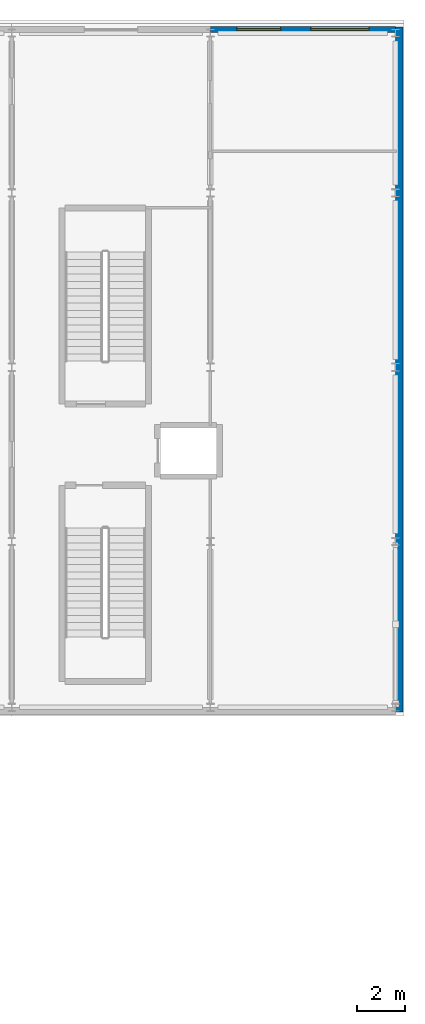
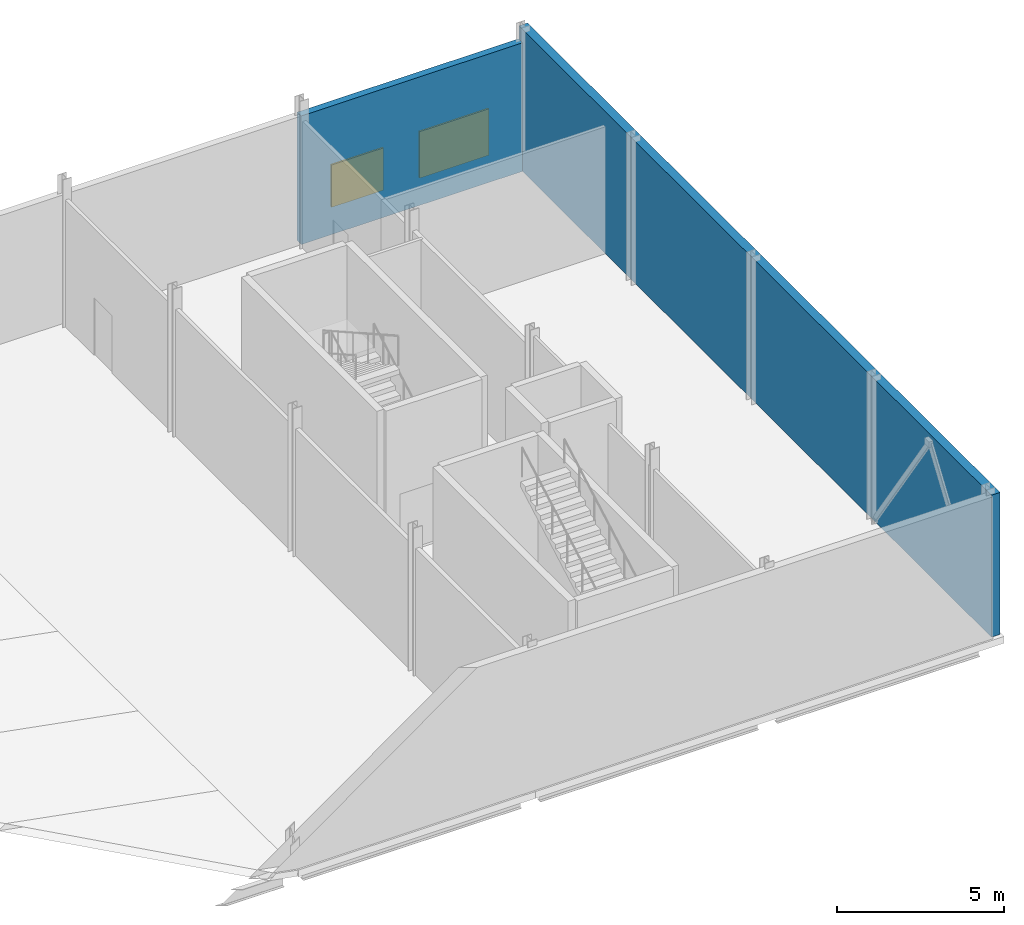
# One storey, part 72 of 83: 2 walls, 2 windows, 2 openings.
"""IFC4 building model written with IfcOpenShell, lengths in metres."""

from ifc_helpers import new_model, si_unit, direction, frame, frame_2d, origin, place, context, subcontext, project, spatial, rectangle, extrude, material, layer, layer_set, type_object, element, fill, save


model = new_model("IFC4")

# Units and contexts
model_context = context("Model", 3, precision=1e-05, world=origin(), true_north=direction((0.0, 1.0)))
body_context = subcontext(model_context, "Body", "Model", "MODEL_VIEW")
ifc_project = project(units=[si_unit("LENGTHUNIT", "METRE"), si_unit("AREAUNIT", "SQUARE_METRE"), si_unit("VOLUMEUNIT", "CUBIC_METRE"), si_unit("PLANEANGLEUNIT", "RADIAN"), si_unit("MASSUNIT", "GRAM", prefix="KILO")], contexts=[model_context])

# Site, building, storey
site_placement = place(None, origin())
site = spatial("IfcSite", under=ifc_project, at=site_placement, CompositionType="ELEMENT")
building_placement = place(site_placement, origin())
building = spatial("IfcBuilding", under=site, at=building_placement, Name="Quillay Park Conservatory", CompositionType="ELEMENT")
storey_placement = place(building_placement, origin())
storey = spatial("IfcBuildingStorey", under=building, at=storey_placement, Name="L00", CompositionType="ELEMENT", Elevation=0.0)

# Wall, openings, windows
ifc_material_1 = material(Name="Glass-Fibre Reinforced Concrete (GRC) Cladding", Category="concrete")
ifc_layer_1 = layer(ifc_material_1, 0.239990234375)
ifc_layer_set_1 = layer_set([ifc_layer_1], Name="EXTERIOR SOLID WALL 240 (Glass-Fibre Reinforced Concrete (GRC) Cladding)")
wall_type_1 = type_object("IfcWallType", Name="EXTERIOR SOLID WALL 240", PredefinedType="SOLIDWALL", material=ifc_layer_set_1)
wall_1_placement = place(storey_placement, frame((156.199951171875, 113.550048828125, 0.0), z_axis=(0.0, 0.0, 1.0), x_axis=(1.0, 0.0, 0.0)))
wall_1 = element("IfcWall", 1, at=wall_1_placement, inside=storey, type_object=wall_type_1, Name="L00 External Wall WL-EXT-V2NB-L00-4", PredefinedType="SOLIDWALL", context=body_context, shape_type="SweptSolid", body=[
    extrude(rectangle(XDim=7.650146484375, YDim=0.239990234375, at=frame_2d((3.8251953125, 0.0))), origin(), (0.0, 0.0, 1.0), 4.699951171875),
])
opening_1_placement = place(wall_1_placement, frame((1.10009765625, 0.0, 0.919921875)))
opening_1 = element("IfcOpeningElement", 2, at=opening_1_placement, cuts=wall_1, Name="Opening W-09", PredefinedType="OPENING", context=body_context, shape_type="SweptSolid", body=[
    extrude(rectangle(XDim=1.800048828125, YDim=1.550048828125, at=frame_2d((0.89990234375, 0.77490234375))), frame((0.0, 0.1201171875, 0.0), z_axis=(0.0, -1.0, 0.0), x_axis=(1.0, 0.0, 0.0)), (0.0, 0.0, 1.0), 0.239990234375),
])
opening_2_placement = place(wall_1_placement, frame((4.14990234375, 0.0, 0.919921875)))
opening_2 = element("IfcOpeningElement", 3, at=opening_2_placement, cuts=wall_1, Name="Opening W-16", PredefinedType="OPENING", context=body_context, shape_type="SweptSolid", body=[
    extrude(rectangle(XDim=2.39990234375, YDim=1.699951171875, at=frame_2d((1.199951171875, 0.85009765625))), frame((0.0, 0.1201171875, 0.0), z_axis=(0.0, -1.0, 0.0), x_axis=(1.0, 0.0, 0.0)), (0.0, 0.0, 1.0), 0.239990234375),
])
ifc_material_2 = material(Name="Low-E Double Glazing (Laminated Tempered)", Category="glass")
window_type_1 = type_object("IfcWindowType", Name="FIXED CASEMENT WINDOW 1800 X1550", PartitioningType="DOUBLE_PANEL_VERTICAL", PredefinedType="WINDOW", material=ifc_material_2)
window_1_placement = place(opening_1_placement, origin())
window_1 = element("IfcWindow", 4, at=window_1_placement, inside=storey, type_object=window_type_1, Name="L00 Exterior Window 0383", OverallHeight=1.550048828125, OverallWidth=1.800048828125, PartitioningType="DOUBLE_PANEL_VERTICAL", PredefinedType="WINDOW", context=body_context, shape_type="SweptSolid", body=[
    extrude(rectangle(XDim=1.800048828125, YDim=1.550048828125, at=frame_2d((0.89990234375, 0.77490234375))), frame((0.0, 0.030029296875, 0.0), z_axis=(0.0, -1.0, 0.0), x_axis=(1.0, 0.0, 0.0)), (0.0, 0.0, 1.0), 0.06005859375),
])
fill(opening_1, window_1)
ifc_material_3 = material(Name="Low-E Double Glazing (Laminated Tempered)", Category="glass")
window_type_2 = type_object("IfcWindowType", Name="FIXED CASEMENT WINDOW 2400 X1700", PartitioningType="DOUBLE_PANEL_VERTICAL", PredefinedType="WINDOW", material=ifc_material_3)
window_2_placement = place(opening_2_placement, origin())
window_2 = element("IfcWindow", 5, at=window_2_placement, inside=storey, type_object=window_type_2, Name="L00 Exterior Window 0384", OverallHeight=1.699951171875, OverallWidth=2.39990234375, PartitioningType="DOUBLE_PANEL_VERTICAL", PredefinedType="WINDOW", context=body_context, shape_type="SweptSolid", body=[
    extrude(rectangle(XDim=2.39990234375, YDim=1.699951171875, at=frame_2d((1.199951171875, 0.85009765625))), frame((0.0, 0.030029296875, 0.0), z_axis=(0.0, -1.0, 0.0), x_axis=(1.0, 0.0, 0.0)), (0.0, 0.0, 1.0), 0.06005859375),
])
fill(opening_2, window_2)

# Wall
ifc_material_4 = material(Name="Concrete C35/45 (NCh170 Concrete C35/45)", Category="concrete")
ifc_layer_2 = layer(ifc_material_4, 0.300048828125)
ifc_layer_set_2 = layer_set([ifc_layer_2], Name="SOLID FIREWALL 300 (Concrete C35/45 (NCh170 Concrete C35/45))")
wall_type_2 = type_object("IfcWallType", Name="SOLID FIREWALL 300", PredefinedType="SOLIDWALL", material=ifc_layer_set_2)
wall_2_placement = place(storey_placement, frame((164.0, 113.64990234375, 0.0), z_axis=(0.0, 0.0, 1.0), x_axis=(0.0, -1.0, 0.0)))
element("IfcWall", 6, at=wall_2_placement, inside=storey, type_object=wall_type_2, Name="L00 East Neighbour Party Firewall", PredefinedType="SOLIDWALL", context=body_context, shape_type="SweptSolid", body=[
    extrude(rectangle(XDim=28.2998046875, YDim=0.300048828125, at=frame_2d((14.14990234375, 0.0))), origin(), (0.0, 0.0, 1.0), 5.18994140625),
])

save(model, "model.ifc")
